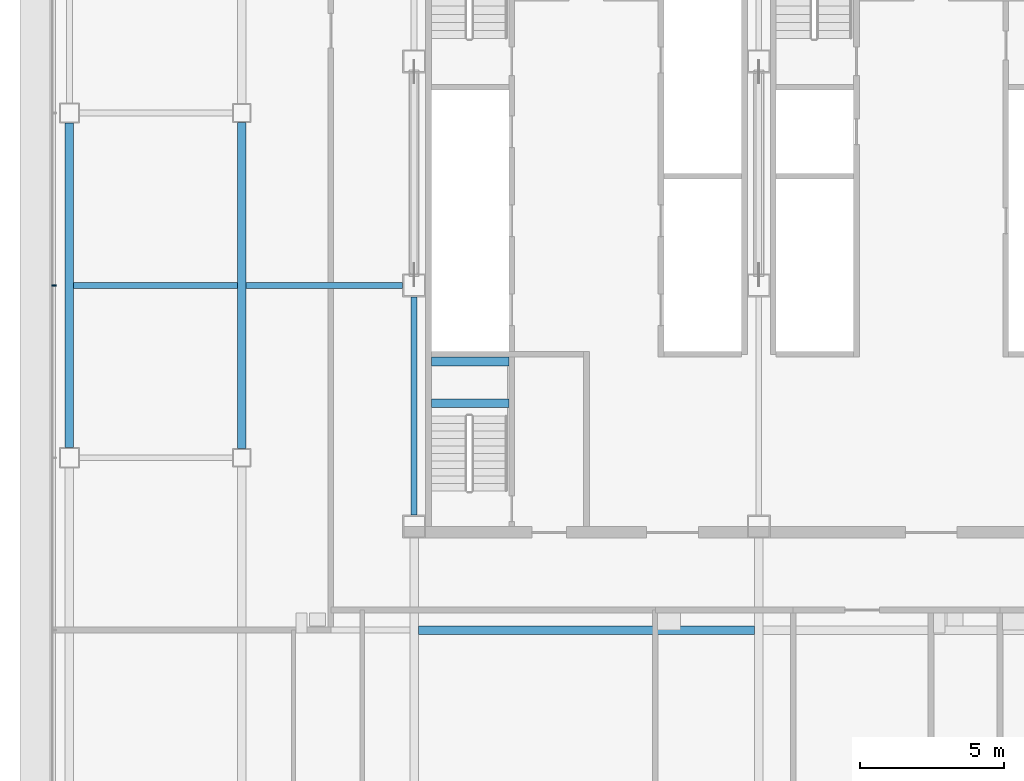
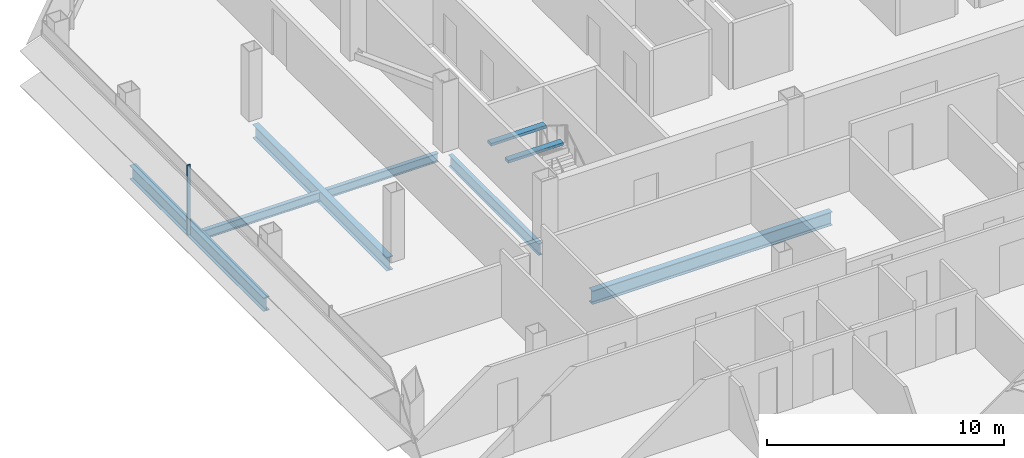
# One storey, part 6 of 26: 8 beams, 1 member, 1 element without a shape of its own.
"""IFC4 building model written with IfcOpenShell, lengths in metres."""

from ifc_helpers import new_model, si_unit, direction, frame, origin, origin_2d, place, context, subcontext, project, spatial, rectangle, i_section, extrude, material, material_profile, profile_set, type_object, element, aggregate, save


model = new_model("IFC4")

# Units and contexts
model_context = context("Model", 3, precision=1e-05, world=origin(), true_north=direction((0.0, 1.0)))
body_context = subcontext(model_context, "Body", "Model", "MODEL_VIEW")
ifc_project = project(units=[si_unit("LENGTHUNIT", "METRE"), si_unit("AREAUNIT", "SQUARE_METRE"), si_unit("VOLUMEUNIT", "CUBIC_METRE"), si_unit("PLANEANGLEUNIT", "RADIAN"), si_unit("MASSUNIT", "GRAM", prefix="KILO")], contexts=[model_context])

# Site, building, storey
site_placement = place(None, origin())
site = spatial("IfcSite", under=ifc_project, at=site_placement, CompositionType="ELEMENT")
building_placement = place(site_placement, origin())
building = spatial("IfcBuilding", under=site, at=building_placement, Name="Sorahane Residences", CompositionType="ELEMENT")
storey_placement = place(building_placement, frame((0.0, 0.0, 154.60009765625)))
storey = spatial("IfcBuildingStorey", under=building, at=storey_placement, Name="L35", CompositionType="ELEMENT", Elevation=154.60009765625)

# Curtain wall, member
ifc_material_1 = material(Name="Dark low-e glass and black anodised aluminium", Category="aluminium")
curtain_wall_type = type_object("IfcCurtainWallType", Name="Curtain wall CW-1 Typical unitised wall", PredefinedType="NOTDEFINED", material=ifc_material_1)
curtain_wall_placement = place(storey_placement, origin())
curtain_wall = element("IfcCurtainWall", 1, at=curtain_wall_placement, inside=storey, type_object=curtain_wall_type, Name="CW-1 curtain wall L35 W1", PredefinedType="NOTDEFINED")
ifc_material_2 = material(Name="Black anodised aluminium", Category="aluminium")
ifc_material_profile_1 = material_profile(ifc_material_2, rectangle(XDim=0.159912109375, YDim=0.050048828125, at=origin_2d()), Name="Curtain wall mullion CW-1 black anodised aluminium 50x160")
ifc_profile_set_1 = profile_set([ifc_material_profile_1], Name="Black anodised aluminium")
member_type = type_object("IfcMemberType", Name="Curtain wall mullion CW-1 black anodised aluminium 50x160", PredefinedType="MULLION", material=ifc_profile_set_1)
member_placement = place(storey_placement, frame((-6.5400390625, 30.0, -0.18017578125), z_axis=(0.0, 0.0, 1.0), x_axis=(-1.0, 0.0, 0.0)))
member = element("IfcMember", 2, at=member_placement, type_object=member_type, Name="CW-1 mullion L35 W1.3", PredefinedType="MULLION", context=body_context, shape_type="SweptSolid", body=[
    extrude(rectangle(XDim=0.159912109375, YDim=0.050048828125, at=origin_2d()), origin(), (0.0, 0.0, 1.0), 3.60009765625),
])
aggregate(curtain_wall, [member])

# Beams
ifc_material_3 = material(Name="Concrete C40", Category="concrete")
ifc_material_profile_2 = material_profile(ifc_material_3, rectangle(XDim=0.300048828125, YDim=0.139892578125, at=origin_2d()), Name="300x140")
ifc_profile_set_2 = profile_set([ifc_material_profile_2], Name="Concrete C40")
beam_type_1 = type_object("IfcBeamType", Name="RC landing beam 300 x 140 Concrete C40", PredefinedType="BEAM", material=ifc_profile_set_2)
for number, where, z_axis, x_axis, name in (
    (3, (6.60009765625, 25.89990234375, 1.52978515625), (1.0, 0.0, 0.0), (0.0, 1.0, 0.0), "Landing beam"),
    (4, (6.60009765625, 27.35009765625, 1.52978515625), (1.0, 0.0, 0.0), (0.0, 1.0, 0.0), "Landing beam"),
):
    element("IfcBeam", number, at=place(storey_placement, frame(where, z_axis=z_axis, x_axis=x_axis)), inside=storey, type_object=beam_type_1, Name=name, PredefinedType="BEAM", context=body_context, shape_type="SweptSolid", body=[
        extrude(rectangle(XDim=0.300048828125, YDim=0.139892578125, at=origin_2d()), origin(), (0.0, 0.0, 1.0), 2.699951171875),
    ])
ifc_material_4 = material(Name="Steel Q355B", Category="steel")
ifc_material_profile_3 = material_profile(ifc_material_4, i_section(OverallWidth=0.199951171875, OverallDepth=0.449951171875, WebThickness=0.009033203125, FlangeThickness=0.013916015625, FilletRadius=0.02001953125, at=origin_2d()), Name="HN 450x200x9x14")
ifc_profile_set_3 = profile_set([ifc_material_profile_3], Name="Steel Q355B")
beam_type_2 = type_object("IfcBeamType", Name="Steel floor beam HN 450x200x9x14 Q355B", PredefinedType="BEAM", material=ifc_profile_set_3)
beam_1_placement = place(storey_placement, frame((-5.85009765625, 30.0, -0.405029296875), z_axis=(1.0, 0.0, 0.0), x_axis=(0.0, 1.0, 0.0)))
element("IfcBeam", 5, at=beam_1_placement, inside=storey, type_object=beam_type_2, Name="Beam L35 085", PredefinedType="BEAM", context=body_context, shape_type="SweptSolid", body=[
    extrude(i_section(OverallWidth=0.199951171875, OverallDepth=0.449951171875, WebThickness=0.009033203125, FlangeThickness=0.013916015625, FilletRadius=0.02001953125, at=origin_2d()), origin(), (0.0, 0.0, 1.0), 5.7001953125),
])
beam_2_placement = place(storey_placement, frame((0.14990234375, 30.0, -0.405029296875), z_axis=(1.0, 0.0, 0.0), x_axis=(0.0, 1.0, 0.0)))
element("IfcBeam", 6, at=beam_2_placement, inside=storey, type_object=beam_type_2, Name="Beam L35 086", PredefinedType="BEAM", context=body_context, shape_type="SweptSolid", body=[
    extrude(i_section(OverallWidth=0.199951171875, OverallDepth=0.449951171875, WebThickness=0.009033203125, FlangeThickness=0.013916015625, FilletRadius=0.02001953125, at=origin_2d()), origin(), (0.0, 0.0, 1.0), 5.4501953125),
])
ifc_material_5 = material(Name="Steel Q355B", Category="steel")
ifc_material_profile_4 = material_profile(ifc_material_5, i_section(OverallWidth=0.199951171875, OverallDepth=0.60009765625, WebThickness=0.010986328125, FlangeThickness=0.01708984375, FilletRadius=0.02392578125, at=origin_2d()), Name="HN 600x200x11x17")
ifc_profile_set_4 = profile_set([ifc_material_profile_4], Name="Steel Q355B")
beam_type_3 = type_object("IfcBeamType", Name="Steel floor beam HN 600x200x11x17 Q355B", PredefinedType="BEAM", material=ifc_profile_set_4)
beam_3_placement = place(storey_placement, frame((6.0, 22.0, -0.47998046875), z_axis=(0.0, 1.0, 0.0), x_axis=(-1.0, 0.0, 0.0)))
element("IfcBeam", 7, at=beam_3_placement, inside=storey, type_object=beam_type_3, Name="Beam L35 030", PredefinedType="BEAM", context=body_context, shape_type="SweptSolid", body=[
    extrude(i_section(OverallWidth=0.199951171875, OverallDepth=0.60009765625, WebThickness=0.010986328125, FlangeThickness=0.01708984375, FilletRadius=0.02392578125, at=origin_2d()), origin(), (0.0, 0.0, 1.0), 7.60009765625),
])
ifc_material_6 = material(Name="Steel Q355B", Category="steel")
ifc_material_profile_5 = material_profile(ifc_material_6, i_section(OverallWidth=0.300048828125, OverallDepth=0.699951171875, WebThickness=0.012939453125, FlangeThickness=0.02392578125, FilletRadius=0.028076171875, at=origin_2d()), Name="HN 700x300x13x24")
ifc_profile_set_5 = profile_set([ifc_material_profile_5], Name="Steel Q355B")
beam_type_4 = type_object("IfcBeamType", Name="Steel floor beam HN 700x300x13x24 Q355B", PredefinedType="BEAM", material=ifc_profile_set_5)
beam_4_placement = place(storey_placement, frame((-6.0, 24.35009765625, -0.530029296875), z_axis=(0.0, 1.0, 0.0), x_axis=(-1.0, 0.0, 0.0)))
element("IfcBeam", 8, at=beam_4_placement, inside=storey, type_object=beam_type_4, Name="Beam L35 022", PredefinedType="BEAM", context=body_context, shape_type="SweptSolid", body=[
    extrude(i_section(OverallWidth=0.300048828125, OverallDepth=0.699951171875, WebThickness=0.012939453125, FlangeThickness=0.02392578125, FilletRadius=0.028076171875, at=origin_2d()), origin(), (0.0, 0.0, 1.0), 11.2998046875),
])
beam_5_placement = place(storey_placement, frame((0.0, 24.324951171875, -0.530029296875), z_axis=(0.0, 1.0, 0.0), x_axis=(-1.0, 0.0, 0.0)))
element("IfcBeam", 9, at=beam_5_placement, inside=storey, type_object=beam_type_4, Name="Beam L35 026", PredefinedType="BEAM", context=body_context, shape_type="SweptSolid", body=[
    extrude(i_section(OverallWidth=0.300048828125, OverallDepth=0.699951171875, WebThickness=0.012939453125, FlangeThickness=0.02392578125, FilletRadius=0.028076171875, at=origin_2d()), origin(), (0.0, 0.0, 1.0), 11.35009765625),
])
beam_6_placement = place(storey_placement, frame((6.14990234375, 18.0, -0.530029296875), z_axis=(1.0, 0.0, 0.0), x_axis=(0.0, 1.0, 0.0)))
element("IfcBeam", 10, at=beam_6_placement, inside=storey, type_object=beam_type_4, Name="Beam L35 080", PredefinedType="BEAM", context=body_context, shape_type="SweptSolid", body=[
    extrude(i_section(OverallWidth=0.300048828125, OverallDepth=0.699951171875, WebThickness=0.012939453125, FlangeThickness=0.02392578125, FilletRadius=0.028076171875, at=origin_2d()), origin(), (0.0, 0.0, 1.0), 11.7001953125),
])

save(model, "model.ifc")
